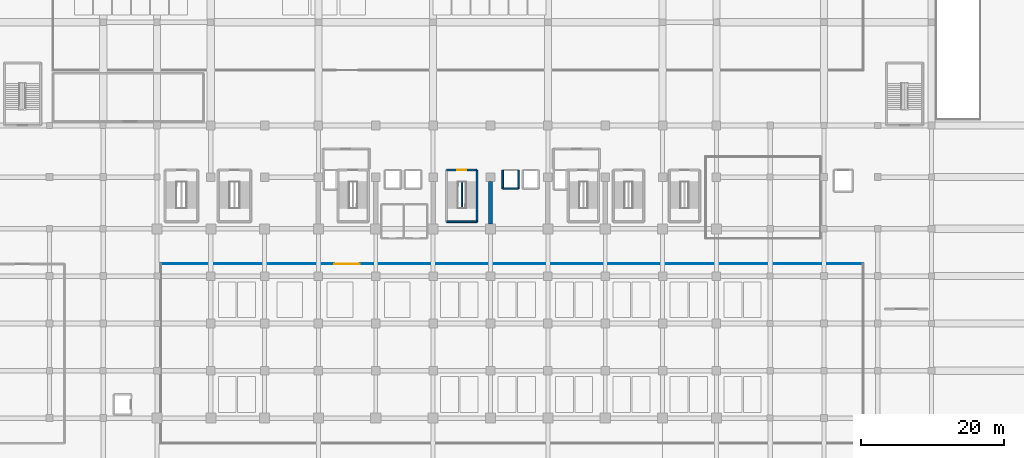
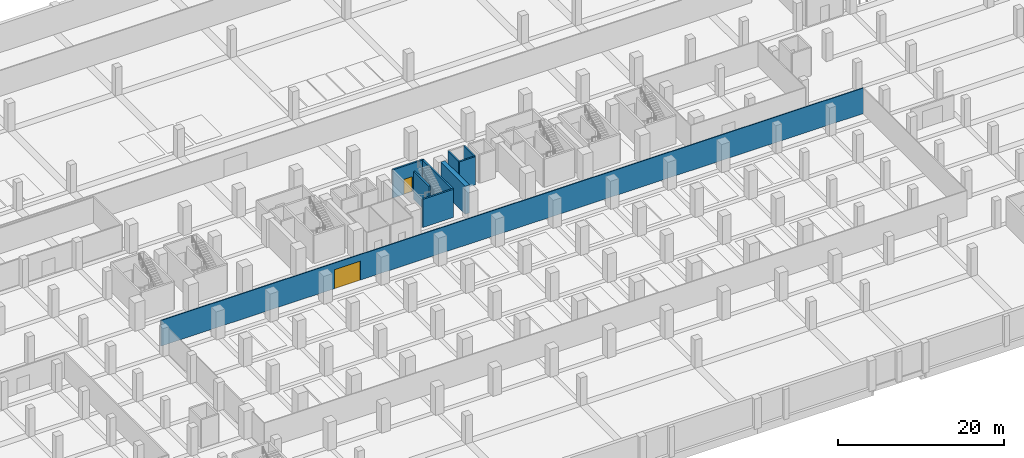
# One storey, part 10 of 25: 9 walls, 2 doors, 2 openings.
"""IFC4 building model written with IfcOpenShell, lengths in metres."""

from ifc_helpers import new_model, si_unit, direction, frame, frame_2d, origin, place, context, subcontext, project, spatial, rectangle, extrude, material, layer, layer_set, type_object, element, fill, save


model = new_model("IFC4")

# Units and contexts
model_context = context("Model", 3, precision=1e-05, world=origin(), true_north=direction((0.0, 1.0)))
body_context = subcontext(model_context, "Body", "Model", "MODEL_VIEW")
ifc_project = project(units=[si_unit("LENGTHUNIT", "METRE"), si_unit("AREAUNIT", "SQUARE_METRE"), si_unit("VOLUMEUNIT", "CUBIC_METRE"), si_unit("PLANEANGLEUNIT", "RADIAN"), si_unit("MASSUNIT", "GRAM", prefix="KILO")], contexts=[model_context])

# Site, building, storey
site_placement = place(None, origin())
site = spatial("IfcSite", under=ifc_project, at=site_placement, CompositionType="ELEMENT")
building_placement = place(site_placement, origin())
building = spatial("IfcBuilding", under=site, at=building_placement, Name="Akrevak Sports Hall", CompositionType="ELEMENT")
storey_placement = place(building_placement, frame((0.0, 0.0, -4.5)))
storey = spatial("IfcBuildingStorey", under=building, at=storey_placement, Name="B01", CompositionType="ELEMENT", Elevation=-4.5)

# Wall, opening, door
ifc_material_1 = material(Name="Standard Metal Stud Partition", Category="gypsum")
ifc_layer_1 = layer(ifc_material_1, 0.1201171875, Name="Standard Metal Stud Partition")
ifc_layer_set_1 = layer_set([ifc_layer_1], Name="Standard Metal Stud Partition")
wall_type_1 = type_object("IfcWallType", Name="ARC-WL-PRT-120", PredefinedType="PARTITIONING", material=ifc_layer_set_1)
wall_1_placement = place(storey_placement, frame((38.0, 50.300048828125, 0.0), z_axis=(0.0, 0.0, 1.0), x_axis=(1.0, 0.0, 0.0)))
wall_1 = element("IfcWall", 1, at=wall_1_placement, inside=storey, type_object=wall_type_1, Name="Interior Partition Underground Car Park Hall South B01 (N)", PredefinedType="PARTITIONING", context=body_context, shape_type="SweptSolid", body=[
    extrude(rectangle(XDim=98.0, YDim=0.1201171875, at=frame_2d((49.0, 0.0))), origin(), (0.0, 0.0, 1.0), 3.780029296875),
])
opening_1_placement = place(wall_1_placement, frame((24.199951171875, 0.0, 0.0)))
opening_1 = element("IfcOpeningElement", 2, at=opening_1_placement, cuts=wall_1, Name="Opening GT-01", PredefinedType="OPENING", context=body_context, shape_type="SweptSolid", body=[
    extrude(rectangle(XDim=3.60009765625, YDim=2.800048828125, at=frame_2d((1.800048828125, 1.39990234375))), frame((0.0, 0.072021484375, 0.0), z_axis=(0.0, -1.0, 0.0), x_axis=(1.0, 0.0, 0.0)), (0.0, 0.0, 1.0), 0.14404296875),
])
ifc_material_2 = material(Name="Galvanized Roller Shutter Steel", Category="steel")
door_type_1 = type_object("IfcDoorType", Name="ARC-DR-GATE-360x280", OperationType="ROLLINGUP", PredefinedType="GATE", material=ifc_material_2)
door_1_placement = place(opening_1_placement, origin())
door_1 = element("IfcDoor", 3, at=door_1_placement, inside=storey, type_object=door_type_1, Name="Door to Underground Car Park Hall South B01", OperationType="ROLLINGUP", OverallHeight=2.800048828125, OverallWidth=3.60009765625, PredefinedType="GATE", context=body_context, shape_type="SweptSolid", body=[
    extrude(rectangle(XDim=3.60009765625, YDim=2.800048828125, at=frame_2d((1.800048828125, 1.39990234375))), frame((0.0, 0.02490234375, 0.0), z_axis=(0.0, -1.0, 0.0), x_axis=(1.0, 0.0, 0.0)), (0.0, 0.0, 1.0), 0.050048828125),
])
fill(opening_1, door_1)

# Walls
ifc_material_3 = material(Name="Concrete C40/50", Category="concrete")
ifc_layer_2 = layer(ifc_material_3, 0.219970703125, Name="Concrete C40/50")
ifc_layer_set_2 = layer_set([ifc_layer_2], Name="Concrete C40/50")
wall_type_2 = type_object("IfcWallType", Name="ARC-WL-PRT-220", PredefinedType="PARTITIONING", material=ifc_layer_set_2)
wall_2_placement = place(storey_placement, frame((80.0, 58.094970703125, 0.0), z_axis=(0.0, 0.0, 1.0), x_axis=(0.0, 1.0, 0.0)))
element("IfcWall", 4, at=wall_2_placement, inside=storey, type_object=wall_type_2, Name="Stair ST3 Central Spine Wall (B01)", PredefinedType="PARTITIONING", context=body_context, shape_type="SweptSolid", body=[
    extrude(rectangle(XDim=3.64013671875, YDim=0.219970703125, at=frame_2d((1.820068359375, 0.0))), origin(), (0.0, 0.0, 1.0), 4.14990234375),
])
ifc_material_4 = material(Name="Concrete C50/60", Category="concrete")
ifc_layer_3 = layer(ifc_material_4, 0.219970703125, Name="Concrete C50/60")
ifc_layer_set_3 = layer_set([ifc_layer_3], Name="Concrete C50/60")
wall_type_3 = type_object("IfcWallType", Name="ARC-WL-SHAFT-220", PredefinedType="SHEAR", material=ifc_layer_set_3)
wall_3_placement = place(storey_placement, frame((85.7099609375, 60.81005859375, 0.0), z_axis=(0.0, 0.0, 1.0), x_axis=(1.0, 0.0, 0.0)))
element("IfcWall", 5, at=wall_3_placement, inside=storey, type_object=wall_type_3, Name="Lift Shaft LF-P3 Wall S (B01)", PredefinedType="SHEAR", context=body_context, shape_type="SweptSolid", body=[
    extrude(rectangle(XDim=2.179931640625, YDim=0.219970703125, at=frame_2d((1.08984375, 0.0))), origin(), (0.0, 0.0, 1.0), 4.14990234375),
])
for number, where, z_axis, x_axis, name in (
    (6, (85.7099609375, 63.389892578125, 0.0), (0.0, 0.0, 1.0), (0.0, -1.0, 0.0), "Lift Shaft LF-P3 Wall W (B01)"),
    (7, (87.889892578125, 60.81005859375, 0.0), (0.0, 0.0, 1.0), (0.0, 1.0, 0.0), "Lift Shaft LF-P3 Wall E (B01)"),
):
    element("IfcWall", number, at=place(storey_placement, frame(where, z_axis=z_axis, x_axis=x_axis)), inside=storey, type_object=wall_type_3, Name=name, PredefinedType="SHEAR", context=body_context, shape_type="SweptSolid", body=[
        extrude(rectangle(XDim=2.579833984375, YDim=0.219970703125, at=frame_2d((1.2900390625, 0.0))), origin(), (0.0, 0.0, 1.0), 4.14990234375),
    ])
ifc_layer_4 = layer(ifc_material_4, 0.60009765625, Name="Concrete C50/60")
ifc_layer_set_4 = layer_set([ifc_layer_4], Name="Concrete C50/60")
wall_type_4 = type_object("IfcWallType", Name="STR-WL-CORE-600", PredefinedType="SHEAR", material=ifc_layer_set_4)
wall_4_placement = place(storey_placement, frame((84.0, 55.89990234375, 0.0), z_axis=(0.0, 0.0, 1.0), x_axis=(0.0, 1.0, 0.0)))
element("IfcWall", 8, at=wall_4_placement, inside=storey, type_object=wall_type_4, Name="Reinforced Concrete Shear Wall SW-C2 (B01)", PredefinedType="SHEAR", context=body_context, shape_type="SweptSolid", body=[
    extrude(rectangle(XDim=5.900146484375, YDim=0.60009765625, at=frame_2d((2.9501953125, 0.0))), origin(), (0.0, 0.0, 1.0), 4.14990234375),
])
ifc_layer_5 = layer(ifc_material_4, 0.25, Name="Concrete C50/60")
ifc_layer_set_5 = layer_set([ifc_layer_5], Name="Concrete C50/60")
wall_type_5 = type_object("IfcWallType", Name="STR-WL-STAIR-250", PredefinedType="SHEAR", material=ifc_layer_set_5)
wall_5_placement = place(storey_placement, frame((77.875, 56.175048828125, 0.0), z_axis=(0.0, 0.0, 1.0), x_axis=(1.0, 0.0, 0.0)))
element("IfcWall", 9, at=wall_5_placement, inside=storey, type_object=wall_type_5, Name="Stair Core ST3 Shear Wall S (B01)", PredefinedType="SHEAR", context=body_context, shape_type="SweptSolid", body=[
    extrude(rectangle(XDim=4.25, YDim=0.25, at=frame_2d((2.125, 0.0))), origin(), (0.0, 0.0, 1.0), 4.14990234375),
])

# Wall, opening, door
wall_6_placement = place(storey_placement, frame((82.125, 63.375, 0.0), z_axis=(0.0, 0.0, 1.0), x_axis=(-1.0, 0.0, 0.0)))
wall_6 = element("IfcWall", 10, at=wall_6_placement, inside=storey, type_object=wall_type_5, Name="Stair Core ST3 Shear Wall N (B01)", PredefinedType="SHEAR", context=body_context, shape_type="SweptSolid", body=[
    extrude(rectangle(XDim=4.25, YDim=0.25, at=frame_2d((2.125, 0.0))), origin(), (0.0, 0.0, 1.0), 4.14990234375),
])
opening_2_placement = place(wall_6_placement, frame((1.52490234375, 0.0, 0.0)))
opening_2 = element("IfcOpeningElement", 11, at=opening_2_placement, cuts=wall_6, Name="Opening SD-02", PredefinedType="OPENING", context=body_context, shape_type="SweptSolid", body=[
    extrude(rectangle(XDim=1.199951171875, YDim=2.199951171875, at=frame_2d((0.60009765625, 1.10009765625))), frame((0.0, 0.136962890625, 0.0), z_axis=(0.0, -1.0, 0.0), x_axis=(1.0, 0.0, 0.0)), (0.0, 0.0, 1.0), 0.27392578125),
])
ifc_material_5 = material(Name="Fire-Rated Galvanized Door Steel", Category="steel")
door_type_2 = type_object("IfcDoorType", Name="ARC-DR-STAIR-120x220", OperationType="NOTDEFINED", PredefinedType="DOOR", material=ifc_material_5)
door_2_placement = place(opening_2_placement, origin())
door_2 = element("IfcDoor", 12, at=door_2_placement, inside=storey, type_object=door_type_2, Name="Exit Stair ST3 Door (B01)", OperationType="SINGLE_SWING_LEFT", OverallHeight=2.199951171875, OverallWidth=1.199951171875, PredefinedType="DOOR", context=body_context, shape_type="SweptSolid", body=[
    extrude(rectangle(XDim=1.199951171875, YDim=2.199951171875, at=frame_2d((0.60009765625, 1.10009765625))), frame((0.0, 0.02490234375, 0.0), z_axis=(0.0, -1.0, 0.0), x_axis=(1.0, 0.0, 0.0)), (0.0, 0.0, 1.0), 0.050048828125),
])
fill(opening_2, door_2)

# Wall
wall_7_placement = place(storey_placement, frame((82.125, 56.175048828125, 0.0), z_axis=(0.0, 0.0, 1.0), x_axis=(0.0, 1.0, 0.0)))
element("IfcWall", 13, at=wall_7_placement, inside=storey, type_object=wall_type_5, Name="Stair Core ST3 Shear Wall E (B01)", PredefinedType="SHEAR", context=body_context, shape_type="SweptSolid", body=[
    extrude(rectangle(XDim=7.199951171875, YDim=0.25, at=frame_2d((3.60009765625, 0.0))), origin(), (0.0, 0.0, 1.0), 4.14990234375),
])

save(model, "model.ifc")
